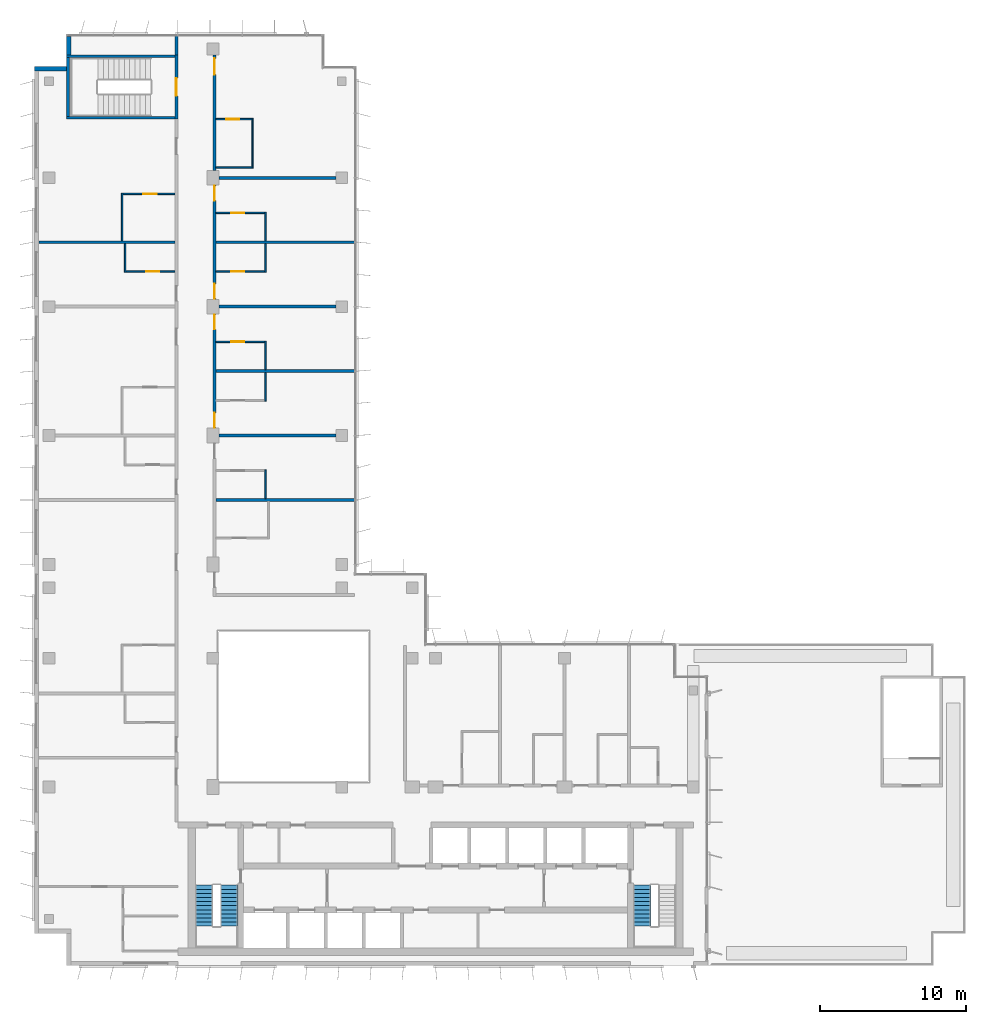
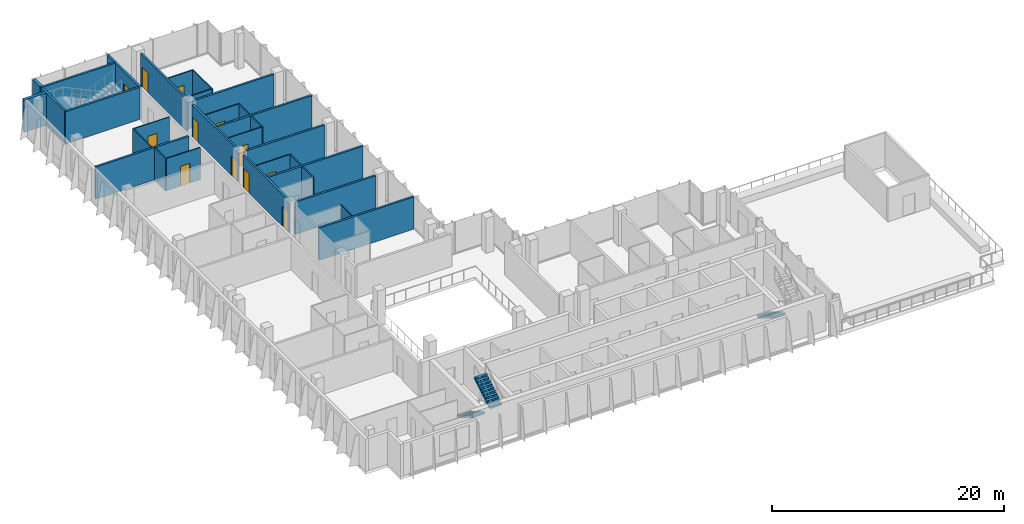
# One storey, part 13 of 17: 32 walls, 12 doors, 3 stair flights, 12 openings, 2 elements without a shape of their own.
"""IFC4 building model written with IfcOpenShell, lengths in metres."""

from ifc_helpers import new_model, si_unit, direction, frame, frame_2d, origin, place, context, subcontext, project, spatial, polyline, rectangle, outline, extrude, material, layer, layer_set, type_object, element, fill, aggregate, save


model = new_model("IFC4")

# Units and contexts
model_context = context("Model", 3, precision=1e-05, world=origin(), true_north=direction((0.0, 1.0)))
body_context = subcontext(model_context, "Body", "Model", "MODEL_VIEW")
ifc_project = project(units=[si_unit("LENGTHUNIT", "METRE"), si_unit("AREAUNIT", "SQUARE_METRE"), si_unit("VOLUMEUNIT", "CUBIC_METRE"), si_unit("PLANEANGLEUNIT", "RADIAN"), si_unit("MASSUNIT", "GRAM", prefix="KILO")], contexts=[model_context])

# Site, building, storey
site_placement = place(None, origin())
site = spatial("IfcSite", under=ifc_project, at=site_placement, CompositionType="ELEMENT")
building_placement = place(site_placement, origin())
building = spatial("IfcBuilding", under=site, at=building_placement, Name="Kemantara Hotel Tower", CompositionType="ELEMENT")
storey_placement = place(building_placement, frame((0.0, 0.0, 222.800048828125)))
storey = spatial("IfcBuildingStorey", under=building, at=storey_placement, Name="L55", CompositionType="ELEMENT", Elevation=222.800048828125)

# Walls
ifc_material_1 = material(Name="Bronze anodised aluminium cladding on insulated steel stud wall", Category="steel")
ifc_layer_1 = layer(ifc_material_1, 0.300048828125)
ifc_layer_set_1 = layer_set([ifc_layer_1], Name="Bronze anodised aluminium cladding on insulated steel stud wall")
wall_type_1 = type_object("IfcWallType", Name="BRONZE METAL-CLAD EXTERNAL WALL 300", PredefinedType="STANDARD", material=ifc_layer_set_1)
wall_1_placement = place(storey_placement, frame((2.35009765625, 63.449951171875, 0.0), z_axis=(0.0, 0.0, 1.0), x_axis=(0.0, -1.0, 0.0)))
element("IfcWall", 1, at=wall_1_placement, inside=storey, type_object=wall_type_1, Name="EXTERNAL WALL L55 T4-R03", PredefinedType="STANDARD", context=body_context, shape_type="SweptSolid", body=[
    extrude(rectangle(XDim=1.25, YDim=0.300048828125, at=frame_2d((0.625, 0.0))), origin(), (0.0, 0.0, 1.0), 3.39990234375),
])
wall_2_placement = place(storey_placement, frame((2.199951171875, 61.25, 0.0), z_axis=(0.0, 0.0, 1.0), x_axis=(-1.0, 0.0, 0.0)))
element("IfcWall", 2, at=wall_2_placement, inside=storey, type_object=wall_type_1, Name="EXTERNAL WALL L55 T4-R04", PredefinedType="STANDARD", context=body_context, shape_type="SweptSolid", body=[
    extrude(rectangle(XDim=2.199951171875, YDim=0.300048828125, at=frame_2d((1.10009765625, 0.0))), origin(), (0.0, 0.0, 1.0), 3.39990234375),
])
ifc_material_2 = material(Name="Gypsum board partition, steel studs and mineral wool, 200 mm", Category="steel")
ifc_layer_2 = layer(ifc_material_2, 0.199951171875)
ifc_layer_set_2 = layer_set([ifc_layer_2], Name="Gypsum board partition, steel studs and mineral wool, 200 mm")
wall_type_2 = type_object("IfcWallType", Name="CORRIDOR WALL 200", PredefinedType="PARTITIONING", material=ifc_layer_set_2)
wall_3_placement = place(storey_placement, frame((9.699951171875, 62.199951171875, 0.0), z_axis=(0.0, 0.0, 1.0), x_axis=(0.0, 1.0, 0.0)))
element("IfcWall", 3, at=wall_3_placement, inside=storey, type_object=wall_type_2, Name="CORRIDOR WALL 200 009", PredefinedType="PARTITIONING", context=body_context, shape_type="SweptSolid", body=[
    extrude(rectangle(XDim=1.280029296875, YDim=0.199951171875, at=frame_2d((0.64013671875, 0.0))), origin(), (0.0, 0.0, 1.0), 3.39990234375),
])

# Wall, openings, doors
wall_4_placement = place(storey_placement, frame((12.300048828125, 44.5, 0.0), z_axis=(0.0, 0.0, 1.0), x_axis=(0.0, -1.0, 0.0)))
wall_4 = element("IfcWall", 4, at=wall_4_placement, inside=storey, type_object=wall_type_2, Name="CORRIDOR WALL 200 022", PredefinedType="PARTITIONING", context=body_context, shape_type="SweptSolid", body=[
    extrude(rectangle(XDim=7.7998046875, YDim=0.199951171875, at=frame_2d((3.89990234375, 0.0))), origin(), (0.0, 0.0, 1.0), 3.39990234375),
])
opening_1_placement = place(wall_4_placement, frame((6.75, 0.0, 0.0)))
opening_1 = element("IfcOpeningElement", 5, at=opening_1_placement, cuts=wall_4, Name="Opening F27-029", PredefinedType="OPENING", context=body_context, shape_type="SweptSolid", body=[
    extrude(rectangle(XDim=1.0, YDim=2.10009765625, at=frame_2d((0.5, 1.050048828125))), frame((0.0, 0.10986328125, 0.0), z_axis=(0.0, -1.0, 0.0), x_axis=(1.0, 0.0, 0.0)), (0.0, 0.0, 1.0), 0.219970703125),
])
opening_2_placement = place(wall_4_placement, frame((0.0498046875, 0.0, 0.0)))
opening_2 = element("IfcOpeningElement", 6, at=opening_2_placement, cuts=wall_4, Name="Opening F27-031", PredefinedType="OPENING", context=body_context, shape_type="SweptSolid", body=[
    extrude(rectangle(XDim=1.0, YDim=2.10009765625, at=frame_2d((0.5, 1.050048828125))), frame((0.0, 0.10986328125, 0.0), z_axis=(0.0, -1.0, 0.0), x_axis=(1.0, 0.0, 0.0)), (0.0, 0.0, 1.0), 0.219970703125),
])
ifc_material_3 = material(Name="Hardwood veneer door leaf with steel frame", Category="steel")
door_type_1 = type_object("IfcDoorType", Name="GUEST ROOM DOOR 1000 X 2100 FD30S", OperationType="NOTDEFINED", PredefinedType="DOOR", material=ifc_material_3)
door_1_placement = place(opening_1_placement, origin())
door_1 = element("IfcDoor", 7, at=door_1_placement, inside=storey, type_object=door_type_1, Name="GUEST ROOM DOOR F27-029", OperationType="SINGLE_SWING_RIGHT", OverallHeight=2.10009765625, OverallWidth=1.0, PredefinedType="DOOR", context=body_context, shape_type="SweptSolid", body=[
    extrude(rectangle(XDim=1.0, YDim=2.10009765625, at=frame_2d((0.5, 1.050048828125))), frame((0.0, 0.02490234375, 0.0), z_axis=(0.0, -1.0, 0.0), x_axis=(1.0, 0.0, 0.0)), (0.0, 0.0, 1.0), 0.050048828125),
])
fill(opening_1, door_1)
door_2_placement = place(opening_2_placement, origin())
door_2 = element("IfcDoor", 8, at=door_2_placement, inside=storey, type_object=door_type_1, Name="GUEST ROOM DOOR F27-031", OperationType="SINGLE_SWING_LEFT", OverallHeight=2.10009765625, OverallWidth=1.0, PredefinedType="DOOR", context=body_context, shape_type="SweptSolid", body=[
    extrude(rectangle(XDim=1.0, YDim=2.10009765625, at=frame_2d((0.5, 1.050048828125))), frame((0.0, 0.02490234375, 0.0), z_axis=(0.0, -1.0, 0.0), x_axis=(1.0, 0.0, 0.0)), (0.0, 0.0, 1.0), 0.050048828125),
])
fill(opening_2, door_2)

wall_5_placement = place(storey_placement, frame((12.300048828125, 53.2998046875, 0.0), z_axis=(0.0, 0.0, 1.0), x_axis=(0.0, -1.0, 0.0)))
wall_5 = element("IfcWall", 9, at=wall_5_placement, inside=storey, type_object=wall_type_2, Name="CORRIDOR WALL 200 023", PredefinedType="PARTITIONING", context=body_context, shape_type="SweptSolid", body=[
    extrude(rectangle(XDim=7.7998046875, YDim=0.199951171875, at=frame_2d((3.89990234375, 0.0))), origin(), (0.0, 0.0, 1.0), 3.39990234375),
])
opening_3_placement = place(wall_5_placement, frame((6.75, 0.0, 0.0)))
opening_3 = element("IfcOpeningElement", 10, at=opening_3_placement, cuts=wall_5, Name="Opening F27-033", PredefinedType="OPENING", context=body_context, shape_type="SweptSolid", body=[
    extrude(rectangle(XDim=1.0, YDim=2.10009765625, at=frame_2d((0.5, 1.050048828125))), frame((0.0, 0.10986328125, 0.0), z_axis=(0.0, -1.0, 0.0), x_axis=(1.0, 0.0, 0.0)), (0.0, 0.0, 1.0), 0.219970703125),
])
opening_4_placement = place(wall_5_placement, frame((0.0498046875, 0.0, 0.0)))
opening_4 = element("IfcOpeningElement", 11, at=opening_4_placement, cuts=wall_5, Name="Opening F27-035", PredefinedType="OPENING", context=body_context, shape_type="SweptSolid", body=[
    extrude(rectangle(XDim=1.0, YDim=2.10009765625, at=frame_2d((0.5, 1.050048828125))), frame((0.0, 0.10986328125, 0.0), z_axis=(0.0, -1.0, 0.0), x_axis=(1.0, 0.0, 0.0)), (0.0, 0.0, 1.0), 0.219970703125),
])
door_3_placement = place(opening_3_placement, origin())
door_3 = element("IfcDoor", 12, at=door_3_placement, inside=storey, type_object=door_type_1, Name="GUEST ROOM DOOR F27-033", OperationType="SINGLE_SWING_RIGHT", OverallHeight=2.10009765625, OverallWidth=1.0, PredefinedType="DOOR", context=body_context, shape_type="SweptSolid", body=[
    extrude(rectangle(XDim=1.0, YDim=2.10009765625, at=frame_2d((0.5, 1.050048828125))), frame((0.0, 0.02490234375, 0.0), z_axis=(0.0, -1.0, 0.0), x_axis=(1.0, 0.0, 0.0)), (0.0, 0.0, 1.0), 0.050048828125),
])
fill(opening_3, door_3)
door_4_placement = place(opening_4_placement, origin())
door_4 = element("IfcDoor", 13, at=door_4_placement, inside=storey, type_object=door_type_1, Name="GUEST ROOM DOOR F27-035", OperationType="SINGLE_SWING_LEFT", OverallHeight=2.10009765625, OverallWidth=1.0, PredefinedType="DOOR", context=body_context, shape_type="SweptSolid", body=[
    extrude(rectangle(XDim=1.0, YDim=2.10009765625, at=frame_2d((0.5, 1.050048828125))), frame((0.0, 0.02490234375, 0.0), z_axis=(0.0, -1.0, 0.0), x_axis=(1.0, 0.0, 0.0)), (0.0, 0.0, 1.0), 0.050048828125),
])
fill(opening_4, door_4)

# Wall, opening, door
wall_6_placement = place(storey_placement, frame((12.300048828125, 62.199951171875, 0.0), z_axis=(0.0, 0.0, 1.0), x_axis=(0.0, -1.0, 0.0)))
wall_6 = element("IfcWall", 14, at=wall_6_placement, inside=storey, type_object=wall_type_2, Name="CORRIDOR WALL 200 024", PredefinedType="PARTITIONING", context=body_context, shape_type="SweptSolid", body=[
    extrude(rectangle(XDim=7.89990234375, YDim=0.199951171875, at=frame_2d((3.949951171875, 0.0))), origin(), (0.0, 0.0, 1.0), 3.39990234375),
])
opening_5_placement = place(wall_6_placement, frame((0.25, 0.0, 0.0)))
opening_5 = element("IfcOpeningElement", 15, at=opening_5_placement, cuts=wall_6, Name="Opening F27-037", PredefinedType="OPENING", context=body_context, shape_type="SweptSolid", body=[
    extrude(rectangle(XDim=1.10009765625, YDim=2.10009765625, at=frame_2d((0.550048828125, 1.050048828125))), frame((0.0, 0.10986328125, 0.0), z_axis=(0.0, -1.0, 0.0), x_axis=(1.0, 0.0, 0.0)), (0.0, 0.0, 1.0), 0.219970703125),
])
door_type_2 = type_object("IfcDoorType", Name="SUITE ENTRANCE DOOR 1100 X 2100 FD30S", OperationType="NOTDEFINED", PredefinedType="DOOR", material=ifc_material_3)
door_5_placement = place(opening_5_placement, origin())
door_5 = element("IfcDoor", 16, at=door_5_placement, inside=storey, type_object=door_type_2, Name="SUITE ENTRANCE DOOR F27-037", OperationType="SINGLE_SWING_LEFT", OverallHeight=2.10009765625, OverallWidth=1.10009765625, PredefinedType="DOOR", context=body_context, shape_type="SweptSolid", body=[
    extrude(rectangle(XDim=1.10009765625, YDim=2.10009765625, at=frame_2d((0.550048828125, 1.050048828125))), frame((0.0, 0.02490234375, 0.0), z_axis=(0.0, -1.0, 0.0), x_axis=(1.0, 0.0, 0.0)), (0.0, 0.0, 1.0), 0.050048828125),
])
fill(opening_5, door_5)

ifc_material_4 = material(Name="Concrete fc 40 MPa", Category="concrete")
ifc_layer_3 = layer(ifc_material_4, 0.199951171875)
ifc_layer_set_3 = layer_set([ifc_layer_3], Name="Concrete fc 40 MPa")
wall_type_3 = type_object("IfcWallType", Name="Concrete stair wall 200 mm", PredefinedType="SHEAR", material=ifc_layer_set_3)
wall_7_placement = place(storey_placement, frame((9.699951171875, 57.800048828125, 0.0), z_axis=(0.0, 0.0, 1.0), x_axis=(0.0, 1.0, 0.0)))
wall_7 = element("IfcWall", 17, at=wall_7_placement, inside=storey, type_object=wall_type_3, Name="Stair ST4 enclosure wall with door", PredefinedType="SHEAR", context=body_context, shape_type="SweptSolid", body=[
    extrude(rectangle(XDim=4.39990234375, YDim=0.199951171875, at=frame_2d((2.199951171875, 0.0))), origin(), (0.0, 0.0, 1.0), 3.39990234375),
])
opening_6_placement = place(wall_7_placement, frame((1.60009765625, 0.0, 0.0)))
opening_6 = element("IfcOpeningElement", 18, at=opening_6_placement, cuts=wall_7, Name="Opening ST4-C", PredefinedType="OPENING", context=body_context, shape_type="SweptSolid", body=[
    extrude(rectangle(XDim=1.199951171875, YDim=2.10009765625, at=frame_2d((0.60009765625, 1.050048828125))), frame((0.0, 0.10986328125, 0.0), z_axis=(0.0, -1.0, 0.0), x_axis=(1.0, 0.0, 0.0)), (0.0, 0.0, 1.0), 0.219970703125),
])
ifc_material_5 = material(Name="Steel fire door", Category="steel")
door_type_3 = type_object("IfcDoorType", Name="Fire door FD90 1200 x 2100", OperationType="NOTDEFINED", PredefinedType="DOOR", material=ifc_material_5)
door_6_placement = place(opening_6_placement, origin())
door_6 = element("IfcDoor", 19, at=door_6_placement, inside=storey, type_object=door_type_3, Name="Stair ST4 door", OperationType="SINGLE_SWING_RIGHT", OverallHeight=2.10009765625, OverallWidth=1.199951171875, PredefinedType="DOOR", context=body_context, shape_type="SweptSolid", body=[
    extrude(rectangle(XDim=1.199951171875, YDim=2.10009765625, at=frame_2d((0.60009765625, 1.050048828125))), frame((0.0, 0.02490234375, 0.0), z_axis=(0.0, -1.0, 0.0), x_axis=(1.0, 0.0, 0.0)), (0.0, 0.0, 1.0), 0.050048828125),
])
fill(opening_6, door_6)

# Walls
for number, where, z_axis, x_axis, name in (
    (20, (2.199951171875, 62.10009765625, 0.0), (0.0, 0.0, 1.0), (1.0, 0.0, 0.0), "Stair ST4 enclosure wall N"),
    (21, (2.199951171875, 57.89990234375, 0.0), (0.0, 0.0, 1.0), (1.0, 0.0, 0.0), "Stair ST4 enclosure wall S"),
):
    element("IfcWall", number, at=place(storey_placement, frame(where, z_axis=z_axis, x_axis=x_axis)), inside=storey, type_object=wall_type_3, Name=name, PredefinedType="SHEAR", context=body_context, shape_type="SweptSolid", body=[
        extrude(rectangle(XDim=7.400146484375, YDim=0.199951171875, at=frame_2d((3.7001953125, 0.0))), origin(), (0.0, 0.0, 1.0), 3.39990234375),
    ])
wall_8_placement = place(storey_placement, frame((2.300048828125, 58.0, 0.0), z_axis=(0.0, 0.0, 1.0), x_axis=(0.0, 1.0, 0.0)))
element("IfcWall", 22, at=wall_8_placement, inside=storey, type_object=wall_type_3, Name="Stair ST4 enclosure wall W", PredefinedType="SHEAR", context=body_context, shape_type="SweptSolid", body=[
    extrude(rectangle(XDim=4.0, YDim=0.199951171875, at=frame_2d((2.0, 0.0))), origin(), (0.0, 0.0, 1.0), 3.39990234375),
])
ifc_layer_4 = layer(ifc_material_2, 0.199951171875)
ifc_layer_set_4 = layer_set([ifc_layer_4], Name="Gypsum board partition, steel studs and mineral wool, 200 mm")
wall_type_4 = type_object("IfcWallType", Name="GUEST ROOM PARTY WALL 200", PredefinedType="PARTITIONING", material=ifc_layer_set_4)
wall_9_placement = place(storey_placement, frame((12.39990234375, 31.800048828125, 0.0), z_axis=(0.0, 0.0, 1.0), x_axis=(1.0, 0.0, 0.0)))
element("IfcWall", 23, at=wall_9_placement, inside=storey, type_object=wall_type_4, Name="GUEST ROOM PARTY WALL 200 013", PredefinedType="PARTITIONING", context=body_context, shape_type="SweptSolid", body=[
    extrude(rectangle(XDim=9.47021484375, YDim=0.199951171875, at=frame_2d((4.735107421875, 0.0))), origin(), (0.0, 0.0, 1.0), 3.39990234375),
])
for number, where, z_axis, x_axis, name in (
    (24, (12.60009765625, 36.199951171875, 0.0), (0.0, 0.0, 1.0), (1.0, 0.0, 0.0), "GUEST ROOM PARTY WALL 200 015"),
    (25, (12.60009765625, 45.0, 0.0), (0.0, 0.0, 1.0), (1.0, 0.0, 0.0), "GUEST ROOM PARTY WALL 200 017"),
):
    element("IfcWall", number, at=place(storey_placement, frame(where, z_axis=z_axis, x_axis=x_axis)), inside=storey, type_object=wall_type_4, Name=name, PredefinedType="PARTITIONING", context=body_context, shape_type="SweptSolid", body=[
        extrude(rectangle(XDim=7.999755859375, YDim=0.199951171875, at=frame_2d((4.0, 0.0))), origin(), (0.0, 0.0, 1.0), 3.39990234375),
    ])
wall_10_placement = place(storey_placement, frame((0.31005859375, 49.39990234375, 0.0), z_axis=(0.0, 0.0, 1.0), x_axis=(1.0, 0.0, 0.0)))
element("IfcWall", 26, at=wall_10_placement, inside=storey, type_object=wall_type_4, Name="GUEST ROOM PARTY WALL 200 018", PredefinedType="PARTITIONING", context=body_context, shape_type="SweptSolid", body=[
    extrude(rectangle(XDim=9.2900390625, YDim=0.199951171875, at=frame_2d((4.64501953125, 0.0))), origin(), (0.0, 0.0, 1.0), 3.39990234375),
])
for number, where, z_axis, x_axis, name in (
    (27, (12.39990234375, 49.39990234375, 0.0), (0.0, 0.0, 1.0), (1.0, 0.0, 0.0), "GUEST ROOM PARTY WALL 200 019"),
    (28, (12.39990234375, 40.60009765625, 0.0), (0.0, 0.0, 1.0), (1.0, 0.0, 0.0), "GUEST ROOM PARTY WALL 200 026"),
):
    element("IfcWall", number, at=place(storey_placement, frame(where, z_axis=z_axis, x_axis=x_axis)), inside=storey, type_object=wall_type_4, Name=name, PredefinedType="PARTITIONING", context=body_context, shape_type="SweptSolid", body=[
        extrude(rectangle(XDim=9.47021484375, YDim=0.199951171875, at=frame_2d((4.735107421875, 0.0))), origin(), (0.0, 0.0, 1.0), 3.39990234375),
    ])
wall_11_placement = place(storey_placement, frame((12.60009765625, 53.800048828125, 0.0), z_axis=(0.0, 0.0, 1.0), x_axis=(1.0, 0.0, 0.0)))
element("IfcWall", 29, at=wall_11_placement, inside=storey, type_object=wall_type_4, Name="GUEST ROOM PARTY WALL 200 027", PredefinedType="PARTITIONING", context=body_context, shape_type="SweptSolid", body=[
    extrude(rectangle(XDim=7.999755859375, YDim=0.199951171875, at=frame_2d((4.0, 0.0))), origin(), (0.0, 0.0, 1.0), 3.39990234375),
])
ifc_material_6 = material(Name="Gypsum board partition on steel studs, 100 mm", Category="steel")
ifc_layer_5 = layer(ifc_material_6, 0.10009765625)
ifc_layer_set_5 = layer_set([ifc_layer_5], Name="Gypsum board partition on steel studs, 100 mm")
wall_type_5 = type_object("IfcWallType", Name="ROOM PARTITION 100", PredefinedType="PARTITIONING", material=ifc_layer_set_5)
wall_12_placement = place(storey_placement, frame((6.199951171875, 47.35009765625, 0.0), z_axis=(0.0, 0.0, 1.0), x_axis=(0.0, 1.0, 0.0)))
element("IfcWall", 30, at=wall_12_placement, inside=storey, type_object=wall_type_5, Name="ROOM PARTITION 100 042", PredefinedType="PARTITIONING", context=body_context, shape_type="SweptSolid", body=[
    extrude(rectangle(XDim=1.949951171875, YDim=0.10009765625, at=frame_2d((0.97509765625, 0.0))), origin(), (0.0, 0.0, 1.0), 3.39990234375),
])
wall_13_placement = place(storey_placement, frame((6.0, 49.5, 0.0), z_axis=(0.0, 0.0, 1.0), x_axis=(0.0, 1.0, 0.0)))
element("IfcWall", 31, at=wall_13_placement, inside=storey, type_object=wall_type_5, Name="ROOM PARTITION 100 046", PredefinedType="PARTITIONING", context=body_context, shape_type="SweptSolid", body=[
    extrude(rectangle(XDim=3.25, YDim=0.10009765625, at=frame_2d((1.625, 0.0))), origin(), (0.0, 0.0, 1.0), 3.39990234375),
])

# Wall, opening, door
wall_14_placement = place(storey_placement, frame((6.25, 47.39990234375, 0.0), z_axis=(0.0, 0.0, 1.0), x_axis=(1.0, 0.0, 0.0)))
wall_14 = element("IfcWall", 32, at=wall_14_placement, inside=storey, type_object=wall_type_5, Name="ROOM PARTITION 100 050", PredefinedType="PARTITIONING", context=body_context, shape_type="SweptSolid", body=[
    extrude(rectangle(XDim=3.35009765625, YDim=0.10009765625, at=frame_2d((1.675048828125, 0.0))), origin(), (0.0, 0.0, 1.0), 3.39990234375),
])
opening_7_placement = place(wall_14_placement, frame((1.39990234375, 0.0, 0.0)))
opening_7 = element("IfcOpeningElement", 33, at=opening_7_placement, cuts=wall_14, Name="Opening F27-022", PredefinedType="OPENING", context=body_context, shape_type="SweptSolid", body=[
    extrude(rectangle(XDim=0.89990234375, YDim=2.10009765625, at=frame_2d((0.449951171875, 1.050048828125))), frame((0.0, 0.06005859375, 0.0), z_axis=(0.0, -1.0, 0.0), x_axis=(1.0, 0.0, 0.0)), (0.0, 0.0, 1.0), 0.1201171875),
])
door_type_4 = type_object("IfcDoorType", Name="BATHROOM DOOR 900 X 2100", OperationType="NOTDEFINED", PredefinedType="DOOR", material=ifc_material_3)
door_7_placement = place(opening_7_placement, origin())
door_7 = element("IfcDoor", 34, at=door_7_placement, inside=storey, type_object=door_type_4, Name="BATHROOM DOOR F27-022", OperationType="SINGLE_SWING_RIGHT", OverallHeight=2.10009765625, OverallWidth=0.89990234375, PredefinedType="DOOR", context=body_context, shape_type="SweptSolid", body=[
    extrude(rectangle(XDim=0.89990234375, YDim=2.10009765625, at=frame_2d((0.449951171875, 1.050048828125))), frame((0.0, 0.02490234375, 0.0), z_axis=(0.0, -1.0, 0.0), x_axis=(1.0, 0.0, 0.0)), (0.0, 0.0, 1.0), 0.050048828125),
])
fill(opening_7, door_7)

wall_15_placement = place(storey_placement, frame((12.39990234375, 47.39990234375, 0.0), z_axis=(0.0, 0.0, 1.0), x_axis=(1.0, 0.0, 0.0)))
wall_15 = element("IfcWall", 35, at=wall_15_placement, inside=storey, type_object=wall_type_5, Name="ROOM PARTITION 100 051", PredefinedType="PARTITIONING", context=body_context, shape_type="SweptSolid", body=[
    extrude(rectangle(XDim=3.35009765625, YDim=0.10009765625, at=frame_2d((1.675048828125, 0.0))), origin(), (0.0, 0.0, 1.0), 3.39990234375),
])
opening_8_placement = place(wall_15_placement, frame((1.050048828125, 0.0, 0.0)))
opening_8 = element("IfcOpeningElement", 36, at=opening_8_placement, cuts=wall_15, Name="Opening F27-034", PredefinedType="OPENING", context=body_context, shape_type="SweptSolid", body=[
    extrude(rectangle(XDim=0.89990234375, YDim=2.10009765625, at=frame_2d((0.449951171875, 1.050048828125))), frame((0.0, 0.06005859375, 0.0), z_axis=(0.0, -1.0, 0.0), x_axis=(1.0, 0.0, 0.0)), (0.0, 0.0, 1.0), 0.1201171875),
])
door_8_placement = place(opening_8_placement, origin())
door_8 = element("IfcDoor", 37, at=door_8_placement, inside=storey, type_object=door_type_4, Name="BATHROOM DOOR F27-034", OperationType="SINGLE_SWING_LEFT", OverallHeight=2.10009765625, OverallWidth=0.89990234375, PredefinedType="DOOR", context=body_context, shape_type="SweptSolid", body=[
    extrude(rectangle(XDim=0.89990234375, YDim=2.10009765625, at=frame_2d((0.449951171875, 1.050048828125))), frame((0.0, 0.02490234375, 0.0), z_axis=(0.0, -1.0, 0.0), x_axis=(1.0, 0.0, 0.0)), (0.0, 0.0, 1.0), 0.050048828125),
])
fill(opening_8, door_8)

wall_16_placement = place(storey_placement, frame((9.60009765625, 52.699951171875, 0.0), z_axis=(0.0, 0.0, 1.0), x_axis=(-1.0, 0.0, 0.0)))
wall_16 = element("IfcWall", 38, at=wall_16_placement, inside=storey, type_object=wall_type_5, Name="ROOM PARTITION 100 052", PredefinedType="PARTITIONING", context=body_context, shape_type="SweptSolid", body=[
    extrude(rectangle(XDim=3.550048828125, YDim=0.10009765625, at=frame_2d((1.77490234375, 0.0))), origin(), (0.0, 0.0, 1.0), 3.39990234375),
])
opening_9_placement = place(wall_16_placement, frame((1.25, 0.0, 0.0)))
opening_9 = element("IfcOpeningElement", 39, at=opening_9_placement, cuts=wall_16, Name="Opening F27-024", PredefinedType="OPENING", context=body_context, shape_type="SweptSolid", body=[
    extrude(rectangle(XDim=0.89990234375, YDim=2.10009765625, at=frame_2d((0.449951171875, 1.050048828125))), frame((0.0, 0.06005859375, 0.0), z_axis=(0.0, -1.0, 0.0), x_axis=(1.0, 0.0, 0.0)), (0.0, 0.0, 1.0), 0.1201171875),
])
door_9_placement = place(opening_9_placement, origin())
door_9 = element("IfcDoor", 40, at=door_9_placement, inside=storey, type_object=door_type_4, Name="BATHROOM DOOR F27-024", OperationType="SINGLE_SWING_LEFT", OverallHeight=2.10009765625, OverallWidth=0.89990234375, PredefinedType="DOOR", context=body_context, shape_type="SweptSolid", body=[
    extrude(rectangle(XDim=0.89990234375, YDim=2.10009765625, at=frame_2d((0.449951171875, 1.050048828125))), frame((0.0, 0.02490234375, 0.0), z_axis=(0.0, -1.0, 0.0), x_axis=(1.0, 0.0, 0.0)), (0.0, 0.0, 1.0), 0.050048828125),
])
fill(opening_9, door_9)

# Walls
wall_17_placement = place(storey_placement, frame((15.800048828125, 31.89990234375, 0.0), z_axis=(0.0, 0.0, 1.0), x_axis=(0.0, 1.0, 0.0)))
element("IfcWall", 41, at=wall_17_placement, inside=storey, type_object=wall_type_5, Name="ROOM PARTITION 100 055", PredefinedType="PARTITIONING", context=body_context, shape_type="SweptSolid", body=[
    extrude(rectangle(XDim=1.9501953125, YDim=0.10009765625, at=frame_2d((0.97509765625, 0.0))), origin(), (0.0, 0.0, 1.0), 3.39990234375),
])
for number, where, z_axis, x_axis, name in (
    (42, (15.800048828125, 38.550048828125, 0.0), (0.0, 0.0, 1.0), (0.0, 1.0, 0.0), "ROOM PARTITION 100 056"),
    (43, (15.800048828125, 40.699951171875, 0.0), (0.0, 0.0, 1.0), (0.0, 1.0, 0.0), "ROOM PARTITION 100 057"),
    (44, (15.800048828125, 47.35009765625, 0.0), (0.0, 0.0, 1.0), (0.0, 1.0, 0.0), "ROOM PARTITION 100 058"),
    (45, (15.800048828125, 49.5, 0.0), (0.0, 0.0, 1.0), (0.0, 1.0, 0.0), "ROOM PARTITION 100 059"),
):
    element("IfcWall", number, at=place(storey_placement, frame(where, z_axis=z_axis, x_axis=x_axis)), inside=storey, type_object=wall_type_5, Name=name, PredefinedType="PARTITIONING", context=body_context, shape_type="SweptSolid", body=[
        extrude(rectangle(XDim=1.949951171875, YDim=0.10009765625, at=frame_2d((0.97509765625, 0.0))), origin(), (0.0, 0.0, 1.0), 3.39990234375),
    ])

# Wall, opening, door
wall_18_placement = place(storey_placement, frame((15.75, 42.60009765625, 0.0), z_axis=(0.0, 0.0, 1.0), x_axis=(-1.0, 0.0, 0.0)))
wall_18 = element("IfcWall", 46, at=wall_18_placement, inside=storey, type_object=wall_type_5, Name="ROOM PARTITION 100 062", PredefinedType="PARTITIONING", context=body_context, shape_type="SweptSolid", body=[
    extrude(rectangle(XDim=3.35009765625, YDim=0.10009765625, at=frame_2d((1.675048828125, 0.0))), origin(), (0.0, 0.0, 1.0), 3.39990234375),
])
opening_10_placement = place(wall_18_placement, frame((1.39990234375, 0.0, 0.0)))
opening_10 = element("IfcOpeningElement", 47, at=opening_10_placement, cuts=wall_18, Name="Opening F27-032", PredefinedType="OPENING", context=body_context, shape_type="SweptSolid", body=[
    extrude(rectangle(XDim=0.89990234375, YDim=2.10009765625, at=frame_2d((0.449951171875, 1.050048828125))), frame((0.0, 0.06005859375, 0.0), z_axis=(0.0, -1.0, 0.0), x_axis=(1.0, 0.0, 0.0)), (0.0, 0.0, 1.0), 0.1201171875),
])
door_10_placement = place(opening_10_placement, origin())
door_10 = element("IfcDoor", 48, at=door_10_placement, inside=storey, type_object=door_type_4, Name="BATHROOM DOOR F27-032", OperationType="SINGLE_SWING_RIGHT", OverallHeight=2.10009765625, OverallWidth=0.89990234375, PredefinedType="DOOR", context=body_context, shape_type="SweptSolid", body=[
    extrude(rectangle(XDim=0.89990234375, YDim=2.10009765625, at=frame_2d((0.449951171875, 1.050048828125))), frame((0.0, 0.02490234375, 0.0), z_axis=(0.0, -1.0, 0.0), x_axis=(1.0, 0.0, 0.0)), (0.0, 0.0, 1.0), 0.050048828125),
])
fill(opening_10, door_10)

wall_19_placement = place(storey_placement, frame((15.75, 51.39990234375, 0.0), z_axis=(0.0, 0.0, 1.0), x_axis=(-1.0, 0.0, 0.0)))
wall_19 = element("IfcWall", 49, at=wall_19_placement, inside=storey, type_object=wall_type_5, Name="ROOM PARTITION 100 063", PredefinedType="PARTITIONING", context=body_context, shape_type="SweptSolid", body=[
    extrude(rectangle(XDim=3.35009765625, YDim=0.10009765625, at=frame_2d((1.675048828125, 0.0))), origin(), (0.0, 0.0, 1.0), 3.39990234375),
])
opening_11_placement = place(wall_19_placement, frame((1.39990234375, 0.0, 0.0)))
opening_11 = element("IfcOpeningElement", 50, at=opening_11_placement, cuts=wall_19, Name="Opening F27-036", PredefinedType="OPENING", context=body_context, shape_type="SweptSolid", body=[
    extrude(rectangle(XDim=0.89990234375, YDim=2.10009765625, at=frame_2d((0.449951171875, 1.050048828125))), frame((0.0, 0.06005859375, 0.0), z_axis=(0.0, -1.0, 0.0), x_axis=(1.0, 0.0, 0.0)), (0.0, 0.0, 1.0), 0.1201171875),
])
door_11_placement = place(opening_11_placement, origin())
door_11 = element("IfcDoor", 51, at=door_11_placement, inside=storey, type_object=door_type_4, Name="BATHROOM DOOR F27-036", OperationType="SINGLE_SWING_RIGHT", OverallHeight=2.10009765625, OverallWidth=0.89990234375, PredefinedType="DOOR", context=body_context, shape_type="SweptSolid", body=[
    extrude(rectangle(XDim=0.89990234375, YDim=2.10009765625, at=frame_2d((0.449951171875, 1.050048828125))), frame((0.0, 0.02490234375, 0.0), z_axis=(0.0, -1.0, 0.0), x_axis=(1.0, 0.0, 0.0)), (0.0, 0.0, 1.0), 0.050048828125),
])
fill(opening_11, door_11)

# Walls
wall_20_placement = place(storey_placement, frame((14.89990234375, 54.449951171875, 0.0), z_axis=(0.0, 0.0, 1.0), x_axis=(0.0, 1.0, 0.0)))
element("IfcWall", 52, at=wall_20_placement, inside=storey, type_object=wall_type_5, Name="ROOM PARTITION 100 064", PredefinedType="PARTITIONING", context=body_context, shape_type="SweptSolid", body=[
    extrude(rectangle(XDim=3.400146484375, YDim=0.10009765625, at=frame_2d((1.7001953125, 0.0))), origin(), (0.0, 0.0, 1.0), 3.39990234375),
])
wall_21_placement = place(storey_placement, frame((12.39990234375, 54.5, 0.0), z_axis=(0.0, 0.0, 1.0), x_axis=(1.0, 0.0, 0.0)))
element("IfcWall", 53, at=wall_21_placement, inside=storey, type_object=wall_type_5, Name="ROOM PARTITION 100 065", PredefinedType="PARTITIONING", context=body_context, shape_type="SweptSolid", body=[
    extrude(rectangle(XDim=2.4501953125, YDim=0.10009765625, at=frame_2d((1.22509765625, 0.0))), origin(), (0.0, 0.0, 1.0), 3.39990234375),
])

# Wall, opening, door
wall_22_placement = place(storey_placement, frame((14.85009765625, 57.800048828125, 0.0), z_axis=(0.0, 0.0, 1.0), x_axis=(-1.0, 0.0, 0.0)))
wall_22 = element("IfcWall", 54, at=wall_22_placement, inside=storey, type_object=wall_type_5, Name="ROOM PARTITION 100 066", PredefinedType="PARTITIONING", context=body_context, shape_type="SweptSolid", body=[
    extrude(rectangle(XDim=2.4501953125, YDim=0.10009765625, at=frame_2d((1.22509765625, 0.0))), origin(), (0.0, 0.0, 1.0), 3.39990234375),
])
opening_12_placement = place(wall_22_placement, frame((0.85009765625, 0.0, 0.0)))
opening_12 = element("IfcOpeningElement", 55, at=opening_12_placement, cuts=wall_22, Name="Opening F27-038", PredefinedType="OPENING", context=body_context, shape_type="SweptSolid", body=[
    extrude(rectangle(XDim=0.89990234375, YDim=2.10009765625, at=frame_2d((0.449951171875, 1.050048828125))), frame((0.0, 0.06005859375, 0.0), z_axis=(0.0, -1.0, 0.0), x_axis=(1.0, 0.0, 0.0)), (0.0, 0.0, 1.0), 0.1201171875),
])
door_12_placement = place(opening_12_placement, origin())
door_12 = element("IfcDoor", 56, at=door_12_placement, inside=storey, type_object=door_type_4, Name="BATHROOM DOOR F27-038", OperationType="SINGLE_SWING_RIGHT", OverallHeight=2.10009765625, OverallWidth=0.89990234375, PredefinedType="DOOR", context=body_context, shape_type="SweptSolid", body=[
    extrude(rectangle(XDim=0.89990234375, YDim=2.10009765625, at=frame_2d((0.449951171875, 1.050048828125))), frame((0.0, 0.02490234375, 0.0), z_axis=(0.0, -1.0, 0.0), x_axis=(1.0, 0.0, 0.0)), (0.0, 0.0, 1.0), 0.050048828125),
])
fill(opening_12, door_12)

# Stair, stair flights
stair_type = type_object("IfcStairType", Name="Stair 1200 wide 22 risers of 168 x 280 mm", PredefinedType="HALF_TURN_STAIR", material=ifc_material_4)
stair_1_placement = place(storey_placement, origin())
stair_1 = element("IfcStair", 57, at=stair_1_placement, inside=storey, type_object=stair_type, Name="L55 Exit stair ST1", PredefinedType="HALF_TURN_STAIR")
stair_flight_type = type_object("IfcStairFlightType", Name="Stair flight 1200 wide 168 x 280 mm", PredefinedType="STRAIGHT", material=ifc_material_4)
stair_flight_1_placement = place(storey_placement, frame((11.60009765625, 5.5, 0.0), z_axis=(0.0, 0.0, 1.0), x_axis=(0.0, -1.0, 0.0)))
stair_flight_1 = element("IfcStairFlight", 58, at=stair_flight_1_placement, type_object=stair_flight_type, Name="ST1 flight 1", NumberOfRisers=11, NumberOfTreads=10, PredefinedType="STRAIGHT", RiserHeight=0.168181818, TreadLength=0.28, context=body_context, shape_type="SweptSolid", body=[
    extrude(outline(polyline([(0.0, 0.0), (0.0, 0.168212890625), (0.280029296875, 0.168212890625), (0.280029296875, 0.33642578125), (0.56005859375, 0.33642578125), (0.56005859375, 0.504638671875), (0.840087890625, 0.504638671875), (0.840087890625, 0.672607421875), (1.1201171875, 0.672607421875), (1.1201171875, 0.8408203125), (1.39990234375, 0.8408203125), (1.39990234375, 1.009033203125), (1.679931640625, 1.009033203125), (1.679931640625, 1.17724609375), (1.9599609375, 1.17724609375), (1.9599609375, 1.345458984375), (2.239990234375, 1.345458984375), (2.239990234375, 1.513671875), (2.52001953125, 1.513671875), (2.52001953125, 1.681884765625), (2.800048828125, 1.681884765625), (2.800048828125, 1.85009765625), (2.800048828125, 1.5068359375), (0.291015625, 0.0), (0.0, 0.0)])), frame((0.0, 0.60009765625, 0.0), z_axis=(0.0, -1.0, 0.0), x_axis=(1.0, 0.0, 0.0)), (0.0, 0.0, 1.0), 1.199951171875),
])
stair_flight_2_placement = place(storey_placement, frame((13.300048828125, 2.699951171875, 1.849853515625), z_axis=(0.0, 0.0, 1.0), x_axis=(0.0, 1.0, 0.0)))
stair_flight_2 = element("IfcStairFlight", 59, at=stair_flight_2_placement, type_object=stair_flight_type, Name="ST1 flight 2", NumberOfRisers=11, NumberOfTreads=10, PredefinedType="STRAIGHT", RiserHeight=0.168181818, TreadLength=0.28, context=body_context, shape_type="SweptSolid", body=[
    extrude(outline(polyline([(0.0, 0.0), (0.0, 0.168212890625), (0.280029296875, 0.168212890625), (0.280029296875, 0.33642578125), (0.56005859375, 0.33642578125), (0.56005859375, 0.504638671875), (0.840087890625, 0.504638671875), (0.840087890625, 0.672607421875), (1.1201171875, 0.672607421875), (1.1201171875, 0.8408203125), (1.39990234375, 0.8408203125), (1.39990234375, 1.009033203125), (1.679931640625, 1.009033203125), (1.679931640625, 1.17724609375), (1.9599609375, 1.17724609375), (1.9599609375, 1.345458984375), (2.239990234375, 1.345458984375), (2.239990234375, 1.513671875), (2.52001953125, 1.513671875), (2.52001953125, 1.681884765625), (2.800048828125, 1.681884765625), (2.800048828125, 1.85009765625), (2.800048828125, 1.5068359375), (0.291015625, 0.0), (0.0, 0.0)])), frame((0.0, 0.60009765625, 0.0), z_axis=(0.0, -1.0, 0.0), x_axis=(1.0, 0.0, 0.0)), (0.0, 0.0, 1.0), 1.199951171875),
])
aggregate(stair_1, [stair_flight_1, stair_flight_2])

# Stair, stair flight
stair_2_placement = place(storey_placement, origin())
stair_2 = element("IfcStair", 60, at=stair_2_placement, inside=storey, type_object=stair_type, Name="L55 Exit stair ST2", PredefinedType="HALF_TURN_STAIR")
stair_flight_3_placement = place(storey_placement, frame((41.5, 5.5, 0.0), z_axis=(0.0, 0.0, 1.0), x_axis=(0.0, -1.0, 0.0)))
stair_flight_3 = element("IfcStairFlight", 61, at=stair_flight_3_placement, type_object=stair_flight_type, Name="ST2 flight 1", NumberOfRisers=11, NumberOfTreads=10, PredefinedType="STRAIGHT", RiserHeight=0.168181818, TreadLength=0.28, context=body_context, shape_type="SweptSolid", body=[
    extrude(outline(polyline([(0.0, 0.0), (0.0, 0.168212890625), (0.280029296875, 0.168212890625), (0.280029296875, 0.33642578125), (0.56005859375, 0.33642578125), (0.56005859375, 0.504638671875), (0.840087890625, 0.504638671875), (0.840087890625, 0.672607421875), (1.1201171875, 0.672607421875), (1.1201171875, 0.8408203125), (1.39990234375, 0.8408203125), (1.39990234375, 1.009033203125), (1.679931640625, 1.009033203125), (1.679931640625, 1.17724609375), (1.9599609375, 1.17724609375), (1.9599609375, 1.345458984375), (2.239990234375, 1.345458984375), (2.239990234375, 1.513671875), (2.52001953125, 1.513671875), (2.52001953125, 1.681884765625), (2.800048828125, 1.681884765625), (2.800048828125, 1.85009765625), (2.800048828125, 1.5068359375), (0.291015625, 0.0), (0.0, 0.0)])), frame((0.0, 0.60009765625, 0.0), z_axis=(0.0, -1.0, 0.0), x_axis=(1.0, 0.0, 0.0)), (0.0, 0.0, 1.0), 1.199951171875),
])
aggregate(stair_2, [stair_flight_3])

save(model, "model.ifc")
